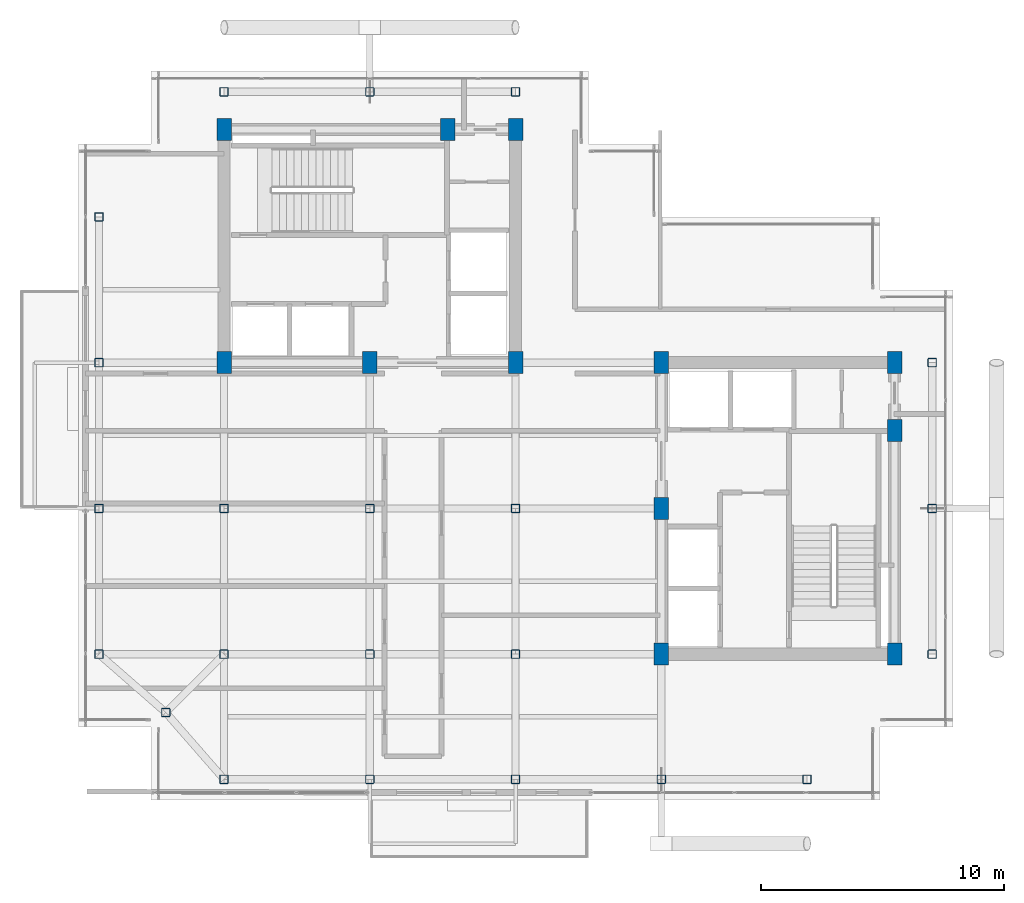
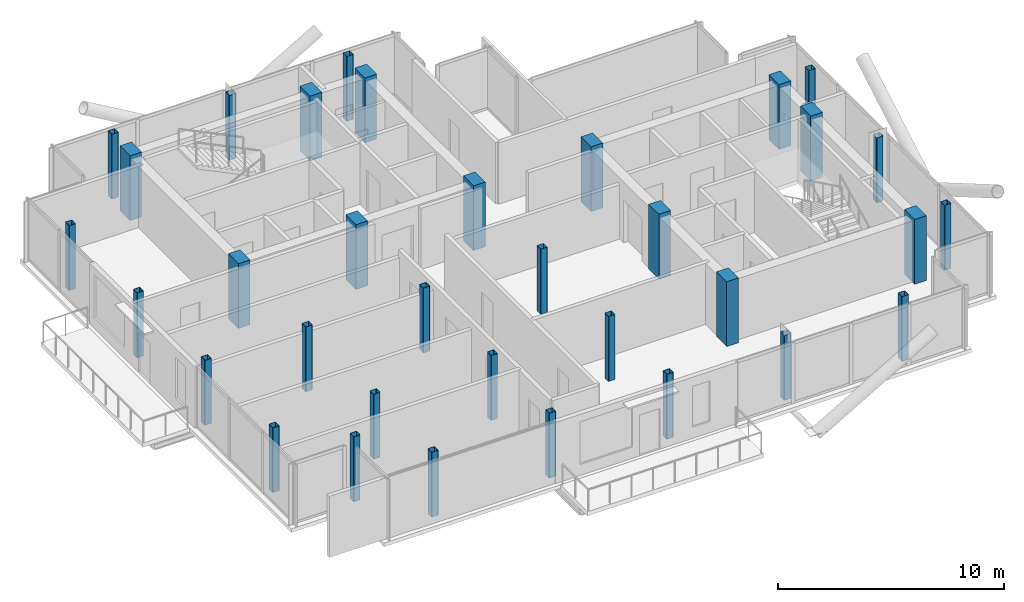
# One storey, part 1 of 18: 34 columns.
"""IFC4 building model written with IfcOpenShell, lengths in metres."""

from ifc_helpers import new_model, si_unit, direction, frame, origin, origin_2d, place, context, subcontext, project, spatial, rectangle, hollow_rectangle, extrude, material, material_profile, profile_set, type_object, element, save


model = new_model("IFC4")

# Units and contexts
model_context = context("Model", 3, precision=1e-05, world=origin(), true_north=direction((0.0, 1.0)))
body_context = subcontext(model_context, "Body", "Model", "MODEL_VIEW")
ifc_project = project(units=[si_unit("LENGTHUNIT", "METRE"), si_unit("AREAUNIT", "SQUARE_METRE"), si_unit("VOLUMEUNIT", "CUBIC_METRE"), si_unit("PLANEANGLEUNIT", "RADIAN"), si_unit("MASSUNIT", "GRAM", prefix="KILO"), si_unit("THERMODYNAMICTEMPERATUREUNIT", "KELVIN"), si_unit("POWERUNIT", "WATT")], contexts=[model_context])

# Site, building, storey
site_placement = place(None, origin())
site = spatial("IfcSite", under=ifc_project, at=site_placement, CompositionType="ELEMENT")
building_placement = place(site_placement, origin())
building = spatial("IfcBuilding", under=site, at=building_placement, Name="Svarakhadi Broadcast Tower", CompositionType="ELEMENT")
storey_placement = place(building_placement, frame((0.0, 0.0, 281.699951171875)))
storey = spatial("IfcBuildingStorey", under=building, at=storey_placement, Name="L71", CompositionType="ELEMENT", Elevation=281.699951171875)

# Columns
ifc_material_1 = material(Name="Concrete C50/60 (IS 456 M60)", Category="concrete")
ifc_material_profile_1 = material_profile(ifc_material_1, rectangle(XDim=0.60009765625, YDim=0.89990234375, at=origin_2d()), Name="RC 600x900")
ifc_profile_set_1 = profile_set([ifc_material_profile_1], Name="Concrete C50/60 (IS 456 M60)")
column_type_1 = type_object("IfcColumnType", Name="Col_RC600", PredefinedType="COLUMN", material=ifc_profile_set_1)
for number, where, z_axis, x_axis, name in (
    (1, (6.0, 18.0, 0.0), (0.0, 0.0, 1.0), (1.0, 0.0, 0.0), "L71 Column CW1"),
    (2, (12.0, 18.0, 0.0), (0.0, 0.0, 1.0), (1.0, 0.0, 0.0), "L71 Column CW2"),
    (3, (18.0, 18.0, 0.0), (0.0, 0.0, 1.0), (1.0, 0.0, 0.0), "L71 Column CW3"),
    (4, (6.0, 27.60009765625, 0.0), (0.0, 0.0, 1.0), (1.0, 0.0, 0.0), "L71 Column CW4"),
    (5, (15.199951171875, 27.60009765625, 0.0), (0.0, 0.0, 1.0), (1.0, 0.0, 0.0), "L71 Column CW5"),
    (6, (18.0, 27.60009765625, 0.0), (0.0, 0.0, 1.0), (1.0, 0.0, 0.0), "L71 Column CW6"),
    (7, (24.0, 6.0, 0.0), (0.0, 0.0, 1.0), (1.0, 0.0, 0.0), "L71 Column CE1"),
    (8, (24.0, 12.0, 0.0), (0.0, 0.0, 1.0), (1.0, 0.0, 0.0), "L71 Column CE2"),
    (9, (24.0, 18.0, 0.0), (0.0, 0.0, 1.0), (1.0, 0.0, 0.0), "L71 Column CE3"),
    (10, (33.60009765625, 6.0, 0.0), (0.0, 0.0, 1.0), (1.0, 0.0, 0.0), "L71 Column CE4"),
    (11, (33.60009765625, 15.199951171875, 0.0), (0.0, 0.0, 1.0), (1.0, 0.0, 0.0), "L71 Column CE5"),
    (12, (33.60009765625, 18.0, 0.0), (0.0, 0.0, 1.0), (1.0, 0.0, 0.0), "L71 Column CE6"),
):
    element("IfcColumn", number, at=place(storey_placement, frame(where, z_axis=z_axis, x_axis=x_axis)), inside=storey, type_object=column_type_1, Name=name, PredefinedType="COLUMN", context=body_context, shape_type="SweptSolid", body=[
        extrude(rectangle(XDim=0.60009765625, YDim=0.89990234375, at=origin_2d()), origin(), (0.0, 0.0, 1.0), 3.5),
    ])
ifc_material_2 = material(Name="Steel S460ML (IS 2062 E450BR)", Category="steel")
ifc_material_profile_2 = material_profile(ifc_material_2, hollow_rectangle(XDim=0.35009765625, YDim=0.35009765625, WallThickness=0.01611328125, InnerFilletRadius=0.01611328125, OuterFilletRadius=0.031982421875, at=origin_2d()), Name="SHS 350x350x16")
ifc_profile_set_2 = profile_set([ifc_material_profile_2], Name="Steel S460ML (IS 2062 E450BR)")
column_type_2 = type_object("IfcColumnType", Name="Col_SHS350", PredefinedType="COLUMN", material=ifc_profile_set_2)
for number, where, z_axis, x_axis, name in (
    (13, (3.60009765625, 3.60009765625, 0.0), (0.0, 0.0, 1.0), (1.0, 0.0, 0.0), "L71 Column G01"),
    (14, (0.85009765625, 6.0, 0.0), (0.0, 0.0, 1.0), (1.0, 0.0, 0.0), "L71 Column G03"),
    (15, (0.85009765625, 12.0, 0.0), (0.0, 0.0, 1.0), (1.0, 0.0, 0.0), "L71 Column G04"),
    (16, (0.85009765625, 18.0, 0.0), (0.0, 0.0, 1.0), (1.0, 0.0, 0.0), "L71 Column G05"),
    (17, (0.85009765625, 24.0, 0.0), (0.0, 0.0, 1.0), (1.0, 0.0, 0.0), "L71 Column G06"),
    (18, (6.0, 0.85009765625, 0.0), (0.0, 0.0, 1.0), (1.0, 0.0, 0.0), "L71 Column G11"),
    (19, (6.0, 6.0, 0.0), (0.0, 0.0, 1.0), (1.0, 0.0, 0.0), "L71 Column G12"),
    (20, (6.0, 12.0, 0.0), (0.0, 0.0, 1.0), (1.0, 0.0, 0.0), "L71 Column G13"),
    (21, (6.0, 29.14990234375, 0.0), (0.0, 0.0, 1.0), (1.0, 0.0, 0.0), "L71 Column G14"),
    (22, (12.0, 0.85009765625, 0.0), (0.0, 0.0, 1.0), (1.0, 0.0, 0.0), "L71 Column G18"),
    (23, (12.0, 6.0, 0.0), (0.0, 0.0, 1.0), (1.0, 0.0, 0.0), "L71 Column G19"),
    (24, (12.0, 12.0, 0.0), (0.0, 0.0, 1.0), (1.0, 0.0, 0.0), "L71 Column G20"),
    (25, (12.0, 29.14990234375, 0.0), (0.0, 0.0, 1.0), (1.0, 0.0, 0.0), "L71 Column G21"),
    (26, (18.0, 0.85009765625, 0.0), (0.0, 0.0, 1.0), (1.0, 0.0, 0.0), "L71 Column G25"),
    (27, (18.0, 6.0, 0.0), (0.0, 0.0, 1.0), (1.0, 0.0, 0.0), "L71 Column G26"),
    (28, (18.0, 12.0, 0.0), (0.0, 0.0, 1.0), (1.0, 0.0, 0.0), "L71 Column G27"),
    (29, (18.0, 29.14990234375, 0.0), (0.0, 0.0, 1.0), (1.0, 0.0, 0.0), "L71 Column G28"),
    (30, (24.0, 0.85009765625, 0.0), (0.0, 0.0, 1.0), (1.0, 0.0, 0.0), "L71 Column G32"),
    (31, (30.0, 0.85009765625, 0.0), (0.0, 0.0, 1.0), (1.0, 0.0, 0.0), "L71 Column G36"),
    (32, (35.14990234375, 6.0, 0.0), (0.0, 0.0, 1.0), (1.0, 0.0, 0.0), "L71 Column G39"),
    (33, (35.14990234375, 12.0, 0.0), (0.0, 0.0, 1.0), (1.0, 0.0, 0.0), "L71 Column G40"),
    (34, (35.14990234375, 18.0, 0.0), (0.0, 0.0, 1.0), (1.0, 0.0, 0.0), "L71 Column G41"),
):
    element("IfcColumn", number, at=place(storey_placement, frame(where, z_axis=z_axis, x_axis=x_axis)), inside=storey, type_object=column_type_2, Name=name, PredefinedType="COLUMN", context=body_context, shape_type="SweptSolid", body=[
        extrude(hollow_rectangle(XDim=0.35009765625, YDim=0.35009765625, WallThickness=0.01611328125, InnerFilletRadius=0.01611328125, OuterFilletRadius=0.031982421875, at=origin_2d()), origin(), (0.0, 0.0, 1.0), 3.5),
    ])

save(model, "model.ifc")
